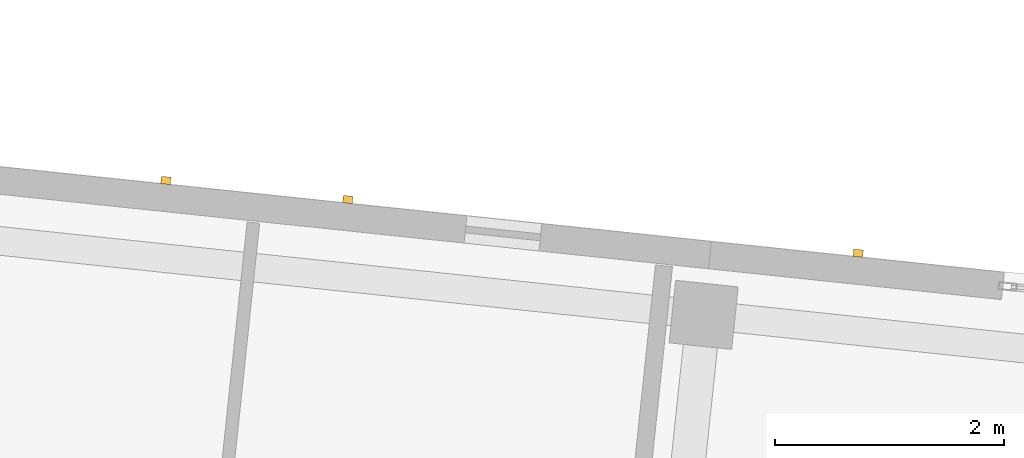
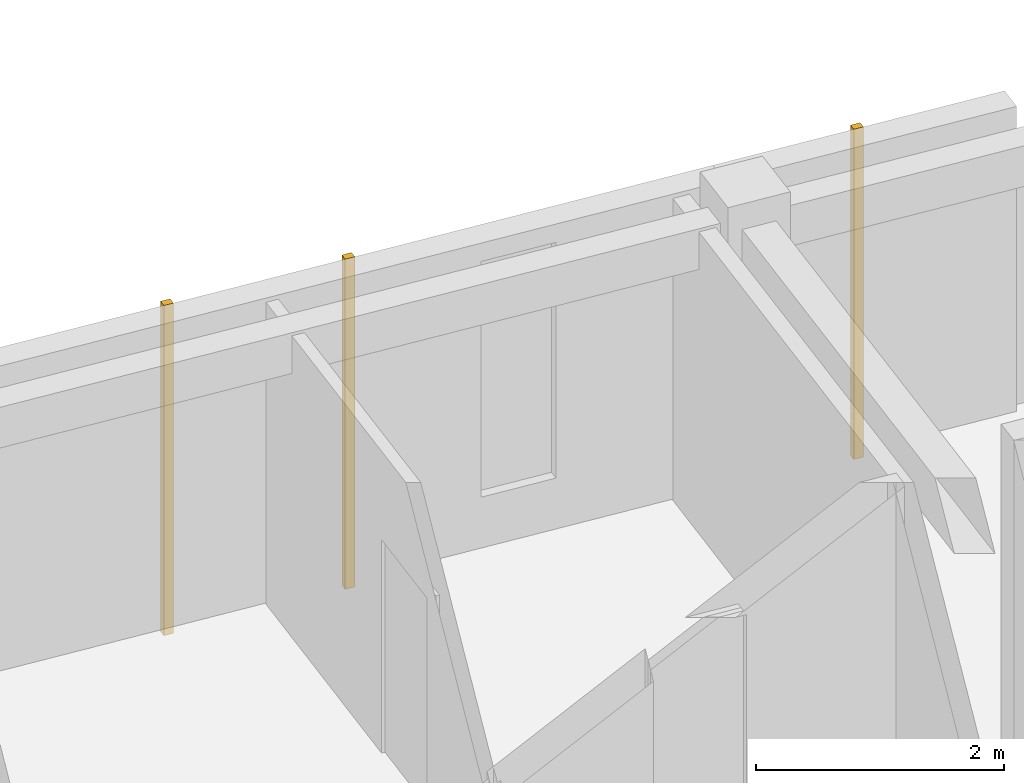
# One storey, part 126 of 127: 3 coverings.
"""IFC4 building model written with IfcOpenShell, lengths in metres."""

from ifc_helpers import new_model, si_unit, direction, frame, origin, origin_2d, place, context, subcontext, project, spatial, rectangle, extrude, material, layer, layer_set, type_object, element, save


model = new_model("IFC4")

# Units and contexts
model_context = context("Model", 3, precision=1e-05, world=origin(), true_north=direction((0.0, 1.0)))
body_context = subcontext(model_context, "Body", "Model", "MODEL_VIEW")
ifc_project = project(units=[si_unit("LENGTHUNIT", "METRE"), si_unit("AREAUNIT", "SQUARE_METRE"), si_unit("VOLUMEUNIT", "CUBIC_METRE"), si_unit("PLANEANGLEUNIT", "RADIAN"), si_unit("MASSUNIT", "GRAM", prefix="KILO")], contexts=[model_context])

# Site, building, storey
site_placement = place(None, origin())
site = spatial("IfcSite", under=ifc_project, at=site_placement, CompositionType="ELEMENT")
building_placement = place(site_placement, origin())
building = spatial("IfcBuilding", under=site, at=building_placement, Name="Kestramere Prow Commons", CompositionType="ELEMENT")
storey_placement = place(building_placement, frame((0.0, 0.0, 8.39990234375)))
storey = spatial("IfcBuildingStorey", under=building, at=storey_placement, Name="L02", CompositionType="ELEMENT", Elevation=8.39990234375)

# Coverings
ifc_material = material(Name="Weathered Zinc-Titanium Standing-Seam Cladding")
ifc_layer = layer(ifc_material, 0.074951171875)
ifc_layer_set = layer_set([ifc_layer], Name="Weathered Zinc-Titanium Standing-Seam Cladding")
covering_type = type_object("IfcCoveringType", Name="COV-CLAD-SEAM", PredefinedType="CLADDING", material=ifc_layer_set)
for number, where, z_axis, x_axis, name in (
    (1, (131.21435546875, 112.95947265625, -0.25), (0.0, 0.0, 1.0), (0.994521895368, -0.104528463268, 0.0), "EW-B-L02-N-2 Standing-Seam Rib 2"),
    (2, (132.8056640625, 112.792236328125, -0.25), (0.0, 0.0, 1.0), (0.994521895368, -0.104528463268, 0.0), "EW-B-L02-N-2 Standing-Seam Rib 3"),
    (3, (137.2685546875, 112.3232421875, -0.25), (0.0, 0.0, 1.0), (0.994521895368, -0.104528463268, 0.0), "EW-B-L02-NP-3-L Standing-Seam Rib 1"),
):
    element("IfcCovering", number, at=place(storey_placement, frame(where, z_axis=z_axis, x_axis=x_axis)), inside=storey, type_object=covering_type, Name=name, PredefinedType="CLADDING", context=body_context, shape_type="SweptSolid", body=[
        extrude(rectangle(XDim=0.0849609375, YDim=0.06494140625, at=origin_2d()), origin(), (0.0, 0.0, 1.0), 3.25),
    ])

save(model, "model.ifc")
